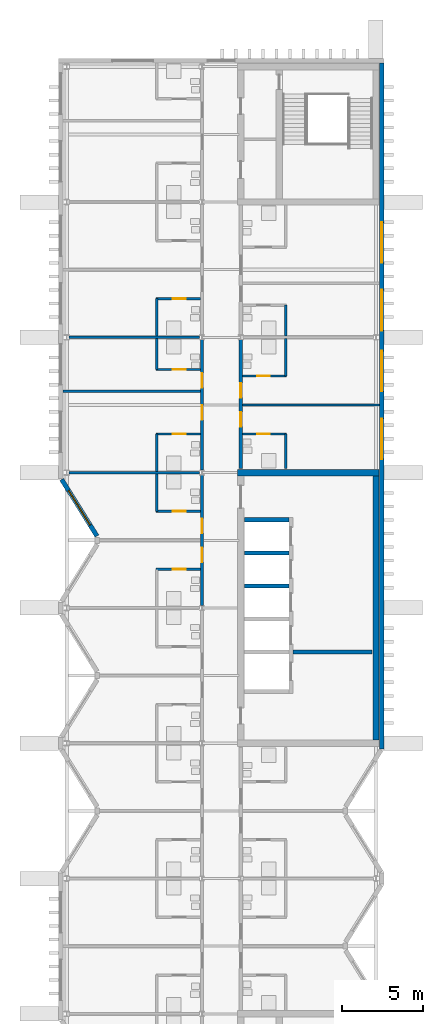
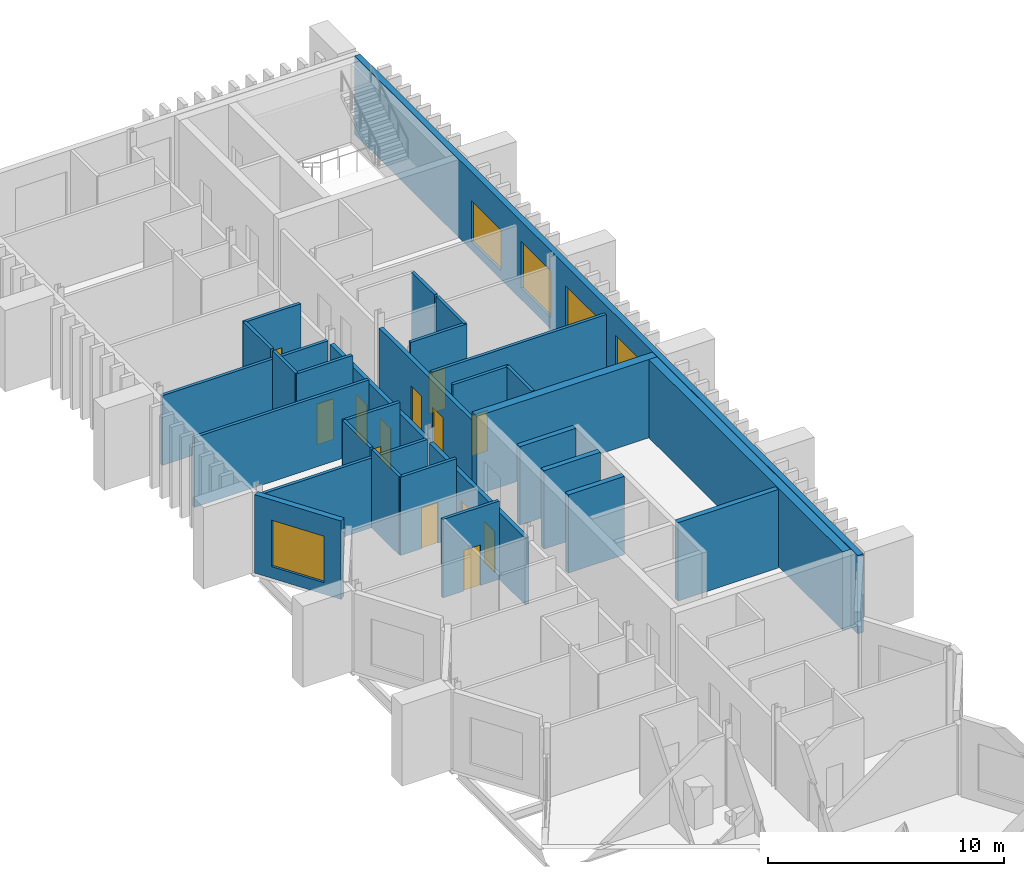
# One storey, part 7 of 11: 29 walls, 13 doors, 5 windows, 18 openings.
"""IFC4 building model written with IfcOpenShell, lengths in metres."""

from ifc_helpers import new_model, si_unit, direction, frame, frame_2d, origin, place, context, subcontext, project, spatial, rectangle, extrude, material, layer, layer_set, type_object, element, fill, save


model = new_model("IFC4")

# Units and contexts
model_context = context("Model", 3, precision=1e-05, world=origin(), true_north=direction((0.0, 1.0)))
body_context = subcontext(model_context, "Body", "Model", "MODEL_VIEW")
ifc_project = project(units=[si_unit("LENGTHUNIT", "METRE"), si_unit("AREAUNIT", "SQUARE_METRE"), si_unit("VOLUMEUNIT", "CUBIC_METRE"), si_unit("PLANEANGLEUNIT", "RADIAN"), si_unit("MASSUNIT", "GRAM", prefix="KILO")], contexts=[model_context])

# Site, building, storey
site_placement = place(None, origin())
site = spatial("IfcSite", under=ifc_project, at=site_placement, CompositionType="ELEMENT")
building_placement = place(site_placement, origin())
building = spatial("IfcBuilding", under=site, at=building_placement, Name="Cresset Court Congress Hotel", CompositionType="ELEMENT")
storey_placement = place(building_placement, frame((0.0, 0.0, 52.199951171875)))
storey = spatial("IfcBuildingStorey", under=building, at=storey_placement, Name="L12", CompositionType="ELEMENT", Elevation=52.199951171875)

# Wall, openings, doors
ifc_material_1 = material(Name="Gypsum board partition")
ifc_layer_1 = layer(ifc_material_1, 0.199951171875)
ifc_layer_set_1 = layer_set([ifc_layer_1], Name="Corridor wall 200")
wall_type_1 = type_object("IfcWallType", Name="Corridor wall 200", PredefinedType="PARTITIONING", material=ifc_layer_set_1)
wall_1_placement = place(storey_placement, frame((165.60009765625, 33.75, 0.0), z_axis=(0.0, 0.0, 1.0), x_axis=(0.0, 1.0, 0.0)))
wall_1 = element("IfcWall", 1, at=wall_1_placement, inside=storey, type_object=wall_type_1, Name="A.wl.L12.074", PredefinedType="PARTITIONING", context=body_context, shape_type="SweptSolid", body=[
    extrude(rectangle(XDim=8.10009765625, YDim=0.199951171875, at=frame_2d((4.050048828125, 0.0))), origin(), (0.0, 0.0, 1.0), 3.449951171875),
])
opening_1_placement = place(wall_1_placement, frame((2.699951171875, 0.0, 0.0)))
opening_1 = element("IfcOpeningElement", 2, at=opening_1_placement, cuts=wall_1, Name="Opening DA-12-18", PredefinedType="OPENING", context=body_context, shape_type="SweptSolid", body=[
    extrude(rectangle(XDim=0.89990234375, YDim=2.10009765625, at=frame_2d((0.449951171875, 1.050048828125))), frame((0.0, 0.10986328125, 0.0), z_axis=(0.0, -1.0, 0.0), x_axis=(1.0, 0.0, 0.0)), (0.0, 0.0, 1.0), 0.219970703125),
])
opening_2_placement = place(wall_1_placement, frame((4.5, 0.0, 0.0)))
opening_2 = element("IfcOpeningElement", 3, at=opening_2_placement, cuts=wall_1, Name="Opening DA-12-20", PredefinedType="OPENING", context=body_context, shape_type="SweptSolid", body=[
    extrude(rectangle(XDim=0.89990234375, YDim=2.10009765625, at=frame_2d((0.449951171875, 1.050048828125))), frame((0.0, 0.10986328125, 0.0), z_axis=(0.0, -1.0, 0.0), x_axis=(1.0, 0.0, 0.0)), (0.0, 0.0, 1.0), 0.219970703125),
])
ifc_material_2 = material(Name="timber", Category="wood")
door_type_1 = type_object("IfcDoorType", Name="Guest-room entry door 900x2100 FD30S", OperationType="SINGLE_SWING_LEFT", PredefinedType="DOOR", material=ifc_material_2)
door_1_placement = place(opening_1_placement, origin())
door_1 = element("IfcDoor", 4, at=door_1_placement, inside=storey, type_object=door_type_1, Name="Door DA-12-18", OperationType="SINGLE_SWING_RIGHT", OverallHeight=2.10009765625, OverallWidth=0.89990234375, PredefinedType="DOOR", context=body_context, shape_type="SweptSolid", body=[
    extrude(rectangle(XDim=0.89990234375, YDim=2.10009765625, at=frame_2d((0.449951171875, 1.050048828125))), frame((0.0, 0.02490234375, 0.0), z_axis=(0.0, -1.0, 0.0), x_axis=(1.0, 0.0, 0.0)), (0.0, 0.0, 1.0), 0.050048828125),
])
fill(opening_1, door_1)
door_2_placement = place(opening_2_placement, origin())
door_2 = element("IfcDoor", 5, at=door_2_placement, inside=storey, type_object=door_type_1, Name="Door DA-12-20", OperationType="SINGLE_SWING_LEFT", OverallHeight=2.10009765625, OverallWidth=0.89990234375, PredefinedType="DOOR", context=body_context, shape_type="SweptSolid", body=[
    extrude(rectangle(XDim=0.89990234375, YDim=2.10009765625, at=frame_2d((0.449951171875, 1.050048828125))), frame((0.0, 0.02490234375, 0.0), z_axis=(0.0, -1.0, 0.0), x_axis=(1.0, 0.0, 0.0)), (0.0, 0.0, 1.0), 0.050048828125),
])
fill(opening_2, door_2)

wall_2_placement = place(storey_placement, frame((165.60009765625, 42.14990234375, 0.0), z_axis=(0.0, 0.0, 1.0), x_axis=(0.0, 1.0, 0.0)))
wall_2 = element("IfcWall", 6, at=wall_2_placement, inside=storey, type_object=wall_type_1, Name="A.wl.L12.075", PredefinedType="PARTITIONING", context=body_context, shape_type="SweptSolid", body=[
    extrude(rectangle(XDim=8.10009765625, YDim=0.199951171875, at=frame_2d((4.050048828125, 0.0))), origin(), (0.0, 0.0, 1.0), 3.449951171875),
])
opening_3_placement = place(wall_2_placement, frame((3.1201171875, 0.0, 0.0)))
opening_3 = element("IfcOpeningElement", 7, at=opening_3_placement, cuts=wall_2, Name="Opening DA-12-22", PredefinedType="OPENING", context=body_context, shape_type="SweptSolid", body=[
    extrude(rectangle(XDim=0.89990234375, YDim=2.10009765625, at=frame_2d((0.449951171875, 1.050048828125))), frame((0.0, 0.10986328125, 0.0), z_axis=(0.0, -1.0, 0.0), x_axis=(1.0, 0.0, 0.0)), (0.0, 0.0, 1.0), 0.219970703125),
])
opening_4_placement = place(wall_2_placement, frame((5.1201171875, 0.0, 0.0)))
opening_4 = element("IfcOpeningElement", 8, at=opening_4_placement, cuts=wall_2, Name="Opening DA-12-24", PredefinedType="OPENING", context=body_context, shape_type="SweptSolid", body=[
    extrude(rectangle(XDim=0.89990234375, YDim=2.10009765625, at=frame_2d((0.449951171875, 1.050048828125))), frame((0.0, 0.10986328125, 0.0), z_axis=(0.0, -1.0, 0.0), x_axis=(1.0, 0.0, 0.0)), (0.0, 0.0, 1.0), 0.219970703125),
])
door_3_placement = place(opening_3_placement, origin())
door_3 = element("IfcDoor", 9, at=door_3_placement, inside=storey, type_object=door_type_1, Name="Door DA-12-22", OperationType="SINGLE_SWING_RIGHT", OverallHeight=2.10009765625, OverallWidth=0.89990234375, PredefinedType="DOOR", context=body_context, shape_type="SweptSolid", body=[
    extrude(rectangle(XDim=0.89990234375, YDim=2.10009765625, at=frame_2d((0.449951171875, 1.050048828125))), frame((0.0, 0.02490234375, 0.0), z_axis=(0.0, -1.0, 0.0), x_axis=(1.0, 0.0, 0.0)), (0.0, 0.0, 1.0), 0.050048828125),
])
fill(opening_3, door_3)
door_4_placement = place(opening_4_placement, origin())
door_4 = element("IfcDoor", 10, at=door_4_placement, inside=storey, type_object=door_type_1, Name="Door DA-12-24", OperationType="SINGLE_SWING_LEFT", OverallHeight=2.10009765625, OverallWidth=0.89990234375, PredefinedType="DOOR", context=body_context, shape_type="SweptSolid", body=[
    extrude(rectangle(XDim=0.89990234375, YDim=2.10009765625, at=frame_2d((0.449951171875, 1.050048828125))), frame((0.0, 0.02490234375, 0.0), z_axis=(0.0, -1.0, 0.0), x_axis=(1.0, 0.0, 0.0)), (0.0, 0.0, 1.0), 0.050048828125),
])
fill(opening_4, door_4)

wall_3_placement = place(storey_placement, frame((168.0, 42.25, 0.0), z_axis=(0.0, 0.0, 1.0), x_axis=(0.0, 1.0, 0.0)))
wall_3 = element("IfcWall", 11, at=wall_3_placement, inside=storey, type_object=wall_type_1, Name="A.wl.L12.080", PredefinedType="PARTITIONING", context=body_context, shape_type="SweptSolid", body=[
    extrude(rectangle(XDim=8.0, YDim=0.199951171875, at=frame_2d((4.0, 0.0))), origin(), (0.0, 0.0, 1.0), 3.449951171875),
])
opening_5_placement = place(wall_3_placement, frame((2.60009765625, 0.0, 0.0)))
opening_5 = element("IfcOpeningElement", 12, at=opening_5_placement, cuts=wall_3, Name="Opening DA-12-42", PredefinedType="OPENING", context=body_context, shape_type="SweptSolid", body=[
    extrude(rectangle(XDim=0.89990234375, YDim=2.10009765625, at=frame_2d((0.449951171875, 1.050048828125))), frame((0.0, 0.10986328125, 0.0), z_axis=(0.0, -1.0, 0.0), x_axis=(1.0, 0.0, 0.0)), (0.0, 0.0, 1.0), 0.219970703125),
])
opening_6_placement = place(wall_3_placement, frame((4.39990234375, 0.0, 0.0)))
opening_6 = element("IfcOpeningElement", 13, at=opening_6_placement, cuts=wall_3, Name="Opening DA-12-44", PredefinedType="OPENING", context=body_context, shape_type="SweptSolid", body=[
    extrude(rectangle(XDim=0.89990234375, YDim=2.10009765625, at=frame_2d((0.449951171875, 1.050048828125))), frame((0.0, 0.10986328125, 0.0), z_axis=(0.0, -1.0, 0.0), x_axis=(1.0, 0.0, 0.0)), (0.0, 0.0, 1.0), 0.219970703125),
])
door_5_placement = place(opening_5_placement, origin())
door_5 = element("IfcDoor", 14, at=door_5_placement, inside=storey, type_object=door_type_1, Name="Door DA-12-42", OperationType="SINGLE_SWING_RIGHT", OverallHeight=2.10009765625, OverallWidth=0.89990234375, PredefinedType="DOOR", context=body_context, shape_type="SweptSolid", body=[
    extrude(rectangle(XDim=0.89990234375, YDim=2.10009765625, at=frame_2d((0.449951171875, 1.050048828125))), frame((0.0, 0.02490234375, 0.0), z_axis=(0.0, -1.0, 0.0), x_axis=(1.0, 0.0, 0.0)), (0.0, 0.0, 1.0), 0.050048828125),
])
fill(opening_5, door_5)
door_6_placement = place(opening_6_placement, origin())
door_6 = element("IfcDoor", 15, at=door_6_placement, inside=storey, type_object=door_type_1, Name="Door DA-12-44", OperationType="SINGLE_SWING_LEFT", OverallHeight=2.10009765625, OverallWidth=0.89990234375, PredefinedType="DOOR", context=body_context, shape_type="SweptSolid", body=[
    extrude(rectangle(XDim=0.89990234375, YDim=2.10009765625, at=frame_2d((0.449951171875, 1.050048828125))), frame((0.0, 0.02490234375, 0.0), z_axis=(0.0, -1.0, 0.0), x_axis=(1.0, 0.0, 0.0)), (0.0, 0.0, 1.0), 0.050048828125),
])
fill(opening_6, door_6)

# Wall, opening, door
ifc_material_3 = material(Name="Gypsum board partition")
ifc_layer_2 = layer(ifc_material_3, 0.14990234375)
ifc_layer_set_2 = layer_set([ifc_layer_2], Name="En-suite wall 150")
wall_type_2 = type_object("IfcWallType", Name="En-suite wall 150", PredefinedType="PARTITIONING", material=ifc_layer_set_2)
wall_4_placement = place(storey_placement, frame((162.75, 36.0, 0.0), z_axis=(0.0, 0.0, 1.0), x_axis=(1.0, 0.0, 0.0)))
wall_4 = element("IfcWall", 16, at=wall_4_placement, inside=storey, type_object=wall_type_2, Name="A.wl.L12.018", PredefinedType="PARTITIONING", context=body_context, shape_type="SweptSolid", body=[
    extrude(rectangle(XDim=2.75, YDim=0.14990234375, at=frame_2d((1.375, 0.0))), origin(), (0.0, 0.0, 1.0), 4.050048828125),
])
opening_7_placement = place(wall_4_placement, frame((1.030029296875, 0.0, 0.0)))
opening_7 = element("IfcOpeningElement", 17, at=opening_7_placement, cuts=wall_4, Name="Opening DA-12-17", PredefinedType="OPENING", context=body_context, shape_type="SweptSolid", body=[
    extrude(rectangle(XDim=0.800048828125, YDim=2.10009765625, at=frame_2d((0.39990234375, 1.050048828125))), frame((0.0, 0.0849609375, 0.0), z_axis=(0.0, -1.0, 0.0), x_axis=(1.0, 0.0, 0.0)), (0.0, 0.0, 1.0), 0.169921875),
])
ifc_material_4 = material(Name="timber", Category="wood")
door_type_2 = type_object("IfcDoorType", Name="En-suite door 800x2100", OperationType="SINGLE_SWING_LEFT", PredefinedType="DOOR", material=ifc_material_4)
door_7_placement = place(opening_7_placement, origin())
door_7 = element("IfcDoor", 18, at=door_7_placement, inside=storey, type_object=door_type_2, Name="Door DA-12-17", OperationType="SINGLE_SWING_RIGHT", OverallHeight=2.10009765625, OverallWidth=0.800048828125, PredefinedType="DOOR", context=body_context, shape_type="SweptSolid", body=[
    extrude(rectangle(XDim=0.800048828125, YDim=2.10009765625, at=frame_2d((0.39990234375, 1.050048828125))), frame((0.0, 0.02490234375, 0.0), z_axis=(0.0, -1.0, 0.0), x_axis=(1.0, 0.0, 0.0)), (0.0, 0.0, 1.0), 0.050048828125),
])
fill(opening_7, door_7)

# Wall
wall_5_placement = place(storey_placement, frame((162.800048828125, 39.60009765625, 0.0), z_axis=(0.0, 0.0, 1.0), x_axis=(0.0, 1.0, 0.0)))
element("IfcWall", 19, at=wall_5_placement, inside=storey, type_object=wall_type_2, Name="A.wl.L12.019", PredefinedType="PARTITIONING", context=body_context, shape_type="SweptSolid", body=[
    extrude(rectangle(XDim=2.324951171875, YDim=0.14990234375, at=frame_2d((1.16259765625, 0.0))), origin(), (0.0, 0.0, 1.0), 4.050048828125),
])

# Wall, opening, door
wall_6_placement = place(storey_placement, frame((162.75, 39.60009765625, 0.0), z_axis=(0.0, 0.0, 1.0), x_axis=(1.0, 0.0, 0.0)))
wall_6 = element("IfcWall", 20, at=wall_6_placement, inside=storey, type_object=wall_type_2, Name="A.wl.L12.020", PredefinedType="PARTITIONING", context=body_context, shape_type="SweptSolid", body=[
    extrude(rectangle(XDim=2.75, YDim=0.14990234375, at=frame_2d((1.375, 0.0))), origin(), (0.0, 0.0, 1.0), 4.050048828125),
])
opening_8_placement = place(wall_6_placement, frame((1.030029296875, 0.0, 0.0)))
opening_8 = element("IfcOpeningElement", 21, at=opening_8_placement, cuts=wall_6, Name="Opening DA-12-19", PredefinedType="OPENING", context=body_context, shape_type="SweptSolid", body=[
    extrude(rectangle(XDim=0.800048828125, YDim=2.10009765625, at=frame_2d((0.39990234375, 1.050048828125))), frame((0.0, 0.0849609375, 0.0), z_axis=(0.0, -1.0, 0.0), x_axis=(1.0, 0.0, 0.0)), (0.0, 0.0, 1.0), 0.169921875),
])
door_8_placement = place(opening_8_placement, origin())
door_8 = element("IfcDoor", 22, at=door_8_placement, inside=storey, type_object=door_type_2, Name="Door DA-12-19", OperationType="SINGLE_SWING_LEFT", OverallHeight=2.10009765625, OverallWidth=0.800048828125, PredefinedType="DOOR", context=body_context, shape_type="SweptSolid", body=[
    extrude(rectangle(XDim=0.800048828125, YDim=2.10009765625, at=frame_2d((0.39990234375, 1.050048828125))), frame((0.0, 0.02490234375, 0.0), z_axis=(0.0, -1.0, 0.0), x_axis=(1.0, 0.0, 0.0)), (0.0, 0.0, 1.0), 0.050048828125),
])
fill(opening_8, door_8)

# Wall
wall_7_placement = place(storey_placement, frame((162.800048828125, 42.074951171875, 0.0), z_axis=(0.0, 0.0, 1.0), x_axis=(0.0, 1.0, 0.0)))
element("IfcWall", 23, at=wall_7_placement, inside=storey, type_object=wall_type_2, Name="A.wl.L12.021", PredefinedType="PARTITIONING", context=body_context, shape_type="SweptSolid", body=[
    extrude(rectangle(XDim=2.324951171875, YDim=0.14990234375, at=frame_2d((1.16259765625, 0.0))), origin(), (0.0, 0.0, 1.0), 4.050048828125),
])

# Wall, opening, door
wall_8_placement = place(storey_placement, frame((162.75, 44.39990234375, 0.0), z_axis=(0.0, 0.0, 1.0), x_axis=(1.0, 0.0, 0.0)))
wall_8 = element("IfcWall", 24, at=wall_8_placement, inside=storey, type_object=wall_type_2, Name="A.wl.L12.022", PredefinedType="PARTITIONING", context=body_context, shape_type="SweptSolid", body=[
    extrude(rectangle(XDim=2.75, YDim=0.14990234375, at=frame_2d((1.375, 0.0))), origin(), (0.0, 0.0, 1.0), 4.050048828125),
])
opening_9_placement = place(wall_8_placement, frame((1.030029296875, 0.0, 0.0)))
opening_9 = element("IfcOpeningElement", 25, at=opening_9_placement, cuts=wall_8, Name="Opening DA-12-21", PredefinedType="OPENING", context=body_context, shape_type="SweptSolid", body=[
    extrude(rectangle(XDim=0.800048828125, YDim=2.10009765625, at=frame_2d((0.39990234375, 1.050048828125))), frame((0.0, 0.0849609375, 0.0), z_axis=(0.0, -1.0, 0.0), x_axis=(1.0, 0.0, 0.0)), (0.0, 0.0, 1.0), 0.169921875),
])
door_9_placement = place(opening_9_placement, origin())
door_9 = element("IfcDoor", 26, at=door_9_placement, inside=storey, type_object=door_type_2, Name="Door DA-12-21", OperationType="SINGLE_SWING_RIGHT", OverallHeight=2.10009765625, OverallWidth=0.800048828125, PredefinedType="DOOR", context=body_context, shape_type="SweptSolid", body=[
    extrude(rectangle(XDim=0.800048828125, YDim=2.10009765625, at=frame_2d((0.39990234375, 1.050048828125))), frame((0.0, 0.02490234375, 0.0), z_axis=(0.0, -1.0, 0.0), x_axis=(1.0, 0.0, 0.0)), (0.0, 0.0, 1.0), 0.050048828125),
])
fill(opening_9, door_9)

# Wall
wall_9_placement = place(storey_placement, frame((162.800048828125, 48.39990234375, 0.0), z_axis=(0.0, 0.0, 1.0), x_axis=(0.0, 1.0, 0.0)))
element("IfcWall", 27, at=wall_9_placement, inside=storey, type_object=wall_type_2, Name="A.wl.L12.023", PredefinedType="PARTITIONING", context=body_context, shape_type="SweptSolid", body=[
    extrude(rectangle(XDim=1.925048828125, YDim=0.14990234375, at=frame_2d((0.96240234375, 0.0))), origin(), (0.0, 0.0, 1.0), 4.050048828125),
])

# Wall, opening, door
wall_10_placement = place(storey_placement, frame((162.75, 48.39990234375, 0.0), z_axis=(0.0, 0.0, 1.0), x_axis=(1.0, 0.0, 0.0)))
wall_10 = element("IfcWall", 28, at=wall_10_placement, inside=storey, type_object=wall_type_2, Name="A.wl.L12.024", PredefinedType="PARTITIONING", context=body_context, shape_type="SweptSolid", body=[
    extrude(rectangle(XDim=2.75, YDim=0.14990234375, at=frame_2d((1.375, 0.0))), origin(), (0.0, 0.0, 1.0), 4.050048828125),
])
opening_10_placement = place(wall_10_placement, frame((1.030029296875, 0.0, 0.0)))
opening_10 = element("IfcOpeningElement", 29, at=opening_10_placement, cuts=wall_10, Name="Opening DA-12-23", PredefinedType="OPENING", context=body_context, shape_type="SweptSolid", body=[
    extrude(rectangle(XDim=0.800048828125, YDim=2.10009765625, at=frame_2d((0.39990234375, 1.050048828125))), frame((0.0, 0.0849609375, 0.0), z_axis=(0.0, -1.0, 0.0), x_axis=(1.0, 0.0, 0.0)), (0.0, 0.0, 1.0), 0.169921875),
])
door_10_placement = place(opening_10_placement, origin())
door_10 = element("IfcDoor", 30, at=door_10_placement, inside=storey, type_object=door_type_2, Name="Door DA-12-23", OperationType="SINGLE_SWING_LEFT", OverallHeight=2.10009765625, OverallWidth=0.800048828125, PredefinedType="DOOR", context=body_context, shape_type="SweptSolid", body=[
    extrude(rectangle(XDim=0.800048828125, YDim=2.10009765625, at=frame_2d((0.39990234375, 1.050048828125))), frame((0.0, 0.02490234375, 0.0), z_axis=(0.0, -1.0, 0.0), x_axis=(1.0, 0.0, 0.0)), (0.0, 0.0, 1.0), 0.050048828125),
])
fill(opening_10, door_10)

# Wall
wall_11_placement = place(storey_placement, frame((162.800048828125, 50.47509765625, 0.0), z_axis=(0.0, 0.0, 1.0), x_axis=(0.0, 1.0, 0.0)))
element("IfcWall", 31, at=wall_11_placement, inside=storey, type_object=wall_type_2, Name="A.wl.L12.025", PredefinedType="PARTITIONING", context=body_context, shape_type="SweptSolid", body=[
    extrude(rectangle(XDim=2.324951171875, YDim=0.14990234375, at=frame_2d((1.16259765625, 0.0))), origin(), (0.0, 0.0, 1.0), 4.050048828125),
])

# Wall, opening, door
wall_12_placement = place(storey_placement, frame((162.75, 52.800048828125, 0.0), z_axis=(0.0, 0.0, 1.0), x_axis=(1.0, 0.0, 0.0)))
wall_12 = element("IfcWall", 32, at=wall_12_placement, inside=storey, type_object=wall_type_2, Name="A.wl.L12.026", PredefinedType="PARTITIONING", context=body_context, shape_type="SweptSolid", body=[
    extrude(rectangle(XDim=2.75, YDim=0.14990234375, at=frame_2d((1.375, 0.0))), origin(), (0.0, 0.0, 1.0), 4.050048828125),
])
opening_11_placement = place(wall_12_placement, frame((1.030029296875, 0.0, 0.0)))
opening_11 = element("IfcOpeningElement", 33, at=opening_11_placement, cuts=wall_12, Name="Opening DA-12-25", PredefinedType="OPENING", context=body_context, shape_type="SweptSolid", body=[
    extrude(rectangle(XDim=0.800048828125, YDim=2.10009765625, at=frame_2d((0.39990234375, 1.050048828125))), frame((0.0, 0.0849609375, 0.0), z_axis=(0.0, -1.0, 0.0), x_axis=(1.0, 0.0, 0.0)), (0.0, 0.0, 1.0), 0.169921875),
])
door_11_placement = place(opening_11_placement, origin())
door_11 = element("IfcDoor", 34, at=door_11_placement, inside=storey, type_object=door_type_2, Name="Door DA-12-25", OperationType="SINGLE_SWING_RIGHT", OverallHeight=2.10009765625, OverallWidth=0.800048828125, PredefinedType="DOOR", context=body_context, shape_type="SweptSolid", body=[
    extrude(rectangle(XDim=0.800048828125, YDim=2.10009765625, at=frame_2d((0.39990234375, 1.050048828125))), frame((0.0, 0.02490234375, 0.0), z_axis=(0.0, -1.0, 0.0), x_axis=(1.0, 0.0, 0.0)), (0.0, 0.0, 1.0), 0.050048828125),
])
fill(opening_11, door_11)

# Wall
wall_13_placement = place(storey_placement, frame((170.800048828125, 42.25, 0.0), z_axis=(0.0, 0.0, 1.0), x_axis=(0.0, 1.0, 0.0)))
element("IfcWall", 35, at=wall_13_placement, inside=storey, type_object=wall_type_2, Name="A.wl.L12.041", PredefinedType="PARTITIONING", context=body_context, shape_type="SweptSolid", body=[
    extrude(rectangle(XDim=2.14990234375, YDim=0.14990234375, at=frame_2d((1.074951171875, 0.0))), origin(), (0.0, 0.0, 1.0), 4.050048828125),
])

# Wall, opening, door
wall_14_placement = place(storey_placement, frame((170.85009765625, 44.39990234375, 0.0), z_axis=(0.0, 0.0, 1.0), x_axis=(-1.0, 0.0, 0.0)))
wall_14 = element("IfcWall", 36, at=wall_14_placement, inside=storey, type_object=wall_type_2, Name="A.wl.L12.042", PredefinedType="PARTITIONING", context=body_context, shape_type="SweptSolid", body=[
    extrude(rectangle(XDim=2.75, YDim=0.14990234375, at=frame_2d((1.375, 0.0))), origin(), (0.0, 0.0, 1.0), 4.050048828125),
])
opening_12_placement = place(wall_14_placement, frame((1.030029296875, 0.0, 0.0)))
opening_12 = element("IfcOpeningElement", 37, at=opening_12_placement, cuts=wall_14, Name="Opening DA-12-41", PredefinedType="OPENING", context=body_context, shape_type="SweptSolid", body=[
    extrude(rectangle(XDim=0.800048828125, YDim=2.10009765625, at=frame_2d((0.39990234375, 1.050048828125))), frame((0.0, 0.0849609375, 0.0), z_axis=(0.0, -1.0, 0.0), x_axis=(1.0, 0.0, 0.0)), (0.0, 0.0, 1.0), 0.169921875),
])
door_12_placement = place(opening_12_placement, origin())
door_12 = element("IfcDoor", 38, at=door_12_placement, inside=storey, type_object=door_type_2, Name="Door DA-12-41", OperationType="SINGLE_SWING_RIGHT", OverallHeight=2.10009765625, OverallWidth=0.800048828125, PredefinedType="DOOR", context=body_context, shape_type="SweptSolid", body=[
    extrude(rectangle(XDim=0.800048828125, YDim=2.10009765625, at=frame_2d((0.39990234375, 1.050048828125))), frame((0.0, 0.02490234375, 0.0), z_axis=(0.0, -1.0, 0.0), x_axis=(1.0, 0.0, 0.0)), (0.0, 0.0, 1.0), 0.050048828125),
])
fill(opening_12, door_12)

# Wall
wall_15_placement = place(storey_placement, frame((170.800048828125, 48.0, 0.0), z_axis=(0.0, 0.0, 1.0), x_axis=(0.0, 1.0, 0.0)))
element("IfcWall", 39, at=wall_15_placement, inside=storey, type_object=wall_type_2, Name="A.wl.L12.043", PredefinedType="PARTITIONING", context=body_context, shape_type="SweptSolid", body=[
    extrude(rectangle(XDim=2.324951171875, YDim=0.14990234375, at=frame_2d((1.16259765625, 0.0))), origin(), (0.0, 0.0, 1.0), 4.050048828125),
])

# Wall, opening, door
wall_16_placement = place(storey_placement, frame((170.85009765625, 48.0, 0.0), z_axis=(0.0, 0.0, 1.0), x_axis=(-1.0, 0.0, 0.0)))
wall_16 = element("IfcWall", 40, at=wall_16_placement, inside=storey, type_object=wall_type_2, Name="A.wl.L12.044", PredefinedType="PARTITIONING", context=body_context, shape_type="SweptSolid", body=[
    extrude(rectangle(XDim=2.75, YDim=0.14990234375, at=frame_2d((1.375, 0.0))), origin(), (0.0, 0.0, 1.0), 4.050048828125),
])
opening_13_placement = place(wall_16_placement, frame((1.030029296875, 0.0, 0.0)))
opening_13 = element("IfcOpeningElement", 41, at=opening_13_placement, cuts=wall_16, Name="Opening DA-12-43", PredefinedType="OPENING", context=body_context, shape_type="SweptSolid", body=[
    extrude(rectangle(XDim=0.800048828125, YDim=2.10009765625, at=frame_2d((0.39990234375, 1.050048828125))), frame((0.0, 0.0849609375, 0.0), z_axis=(0.0, -1.0, 0.0), x_axis=(1.0, 0.0, 0.0)), (0.0, 0.0, 1.0), 0.169921875),
])
door_13_placement = place(opening_13_placement, origin())
door_13 = element("IfcDoor", 42, at=door_13_placement, inside=storey, type_object=door_type_2, Name="Door DA-12-43", OperationType="SINGLE_SWING_LEFT", OverallHeight=2.10009765625, OverallWidth=0.800048828125, PredefinedType="DOOR", context=body_context, shape_type="SweptSolid", body=[
    extrude(rectangle(XDim=0.800048828125, YDim=2.10009765625, at=frame_2d((0.39990234375, 1.050048828125))), frame((0.0, 0.02490234375, 0.0), z_axis=(0.0, -1.0, 0.0), x_axis=(1.0, 0.0, 0.0)), (0.0, 0.0, 1.0), 0.050048828125),
])
fill(opening_13, door_13)

# Wall
wall_17_placement = place(storey_placement, frame((170.800048828125, 50.47509765625, 0.0), z_axis=(0.0, 0.0, 1.0), x_axis=(0.0, 1.0, 0.0)))
element("IfcWall", 43, at=wall_17_placement, inside=storey, type_object=wall_type_2, Name="A.wl.L12.045", PredefinedType="PARTITIONING", context=body_context, shape_type="SweptSolid", body=[
    extrude(rectangle(XDim=1.9248046875, YDim=0.14990234375, at=frame_2d((0.96240234375, 0.0))), origin(), (0.0, 0.0, 1.0), 4.050048828125),
])

# Wall, opening, window
ifc_material_5 = material(Name="Precast concrete C50", Category="concrete")
ifc_layer_3 = layer(ifc_material_5, 0.280029296875)
ifc_layer_set_3 = layer_set([ifc_layer_3], Name="External wall 280")
wall_type_3 = type_object("IfcWallType", Name="External wall 280", PredefinedType="SOLIDWALL", material=ifc_layer_set_3)
wall_18_placement = place(storey_placement, frame((159.07861328125, 38.05908203125, 0.0), z_axis=(0.0, 0.0, 1.0), x_axis=(-0.529018946142, 0.848610013271, 0.0)))
wall_18 = element("IfcWall", 44, at=wall_18_placement, inside=storey, type_object=wall_type_3, Name="A.ew.L12.Wn.4.1", PredefinedType="SOLIDWALL", context=body_context, shape_type="SweptSolid", body=[
    extrude(rectangle(XDim=4.144287109375, YDim=0.280029296875, at=frame_2d((2.072265625, 0.0))), origin(), (0.0, 0.0, 1.0), 4.050048828125),
])
opening_14_placement = place(wall_18_placement, frame((0.812255859375, 0.0, 0.60009765625)))
opening_14 = element("IfcOpeningElement", 45, at=opening_14_placement, cuts=wall_18, Name="Opening NA-12-10", PredefinedType="OPENING", context=body_context, shape_type="SweptSolid", body=[
    extrude(rectangle(XDim=2.52001953125, YDim=2.39990234375, at=frame_2d((1.260009765625, 1.199951171875))), frame((0.0, 0.14990234375, 0.0), z_axis=(0.0, -1.0, 0.0), x_axis=(1.0, 0.0, 0.0)), (0.0, 0.0, 1.0), 0.300048828125),
])
ifc_material_6 = material(Name="Aluminium and glass", Category="aluminium")
window_type_1 = type_object("IfcWindowType", Name="Window 2520x2400", PartitioningType="SINGLE_PANEL", PredefinedType="WINDOW", material=ifc_material_6)
window_1_placement = place(opening_14_placement, origin())
window_1 = element("IfcWindow", 46, at=window_1_placement, inside=storey, type_object=window_type_1, Name="Window NA-12-10", OverallHeight=2.39990234375, OverallWidth=2.52001953125, PartitioningType="SINGLE_PANEL", PredefinedType="WINDOW", context=body_context, shape_type="SweptSolid", body=[
    extrude(rectangle(XDim=2.52001953125, YDim=2.39990234375, at=frame_2d((1.260009765625, 1.199951171875))), frame((0.0, 0.030029296875, 0.0), z_axis=(0.0, -1.0, 0.0), x_axis=(1.0, 0.0, 0.0)), (0.0, 0.0, 1.0), 0.06005859375),
])
fill(opening_14, window_1)

# Wall, openings, windows
wall_19_placement = place(storey_placement, frame((176.760009765625, 24.85009765625, 0.0), z_axis=(0.0, 0.0, 1.0), x_axis=(0.0, 1.0, 0.0)))
wall_19 = element("IfcWall", 47, at=wall_19_placement, inside=storey, type_object=wall_type_3, Name="A.ew.L12.E.3", PredefinedType="SOLIDWALL", context=body_context, shape_type="SweptSolid", body=[
    extrude(rectangle(XDim=42.56982421875, YDim=0.280029296875, at=frame_2d((21.284912109375, 0.0))), origin(), (0.0, 0.0, 1.0), 4.050048828125),
])
opening_15_placement = place(wall_19_placement, frame((17.989990234375, 0.0, 0.60009765625)))
opening_15 = element("IfcOpeningElement", 48, at=opening_15_placement, cuts=wall_19, Name="Opening NA-12-21", PredefinedType="OPENING", context=body_context, shape_type="SweptSolid", body=[
    extrude(rectangle(XDim=2.52001953125, YDim=2.39990234375, at=frame_2d((1.260009765625, 1.199951171875))), frame((0.0, 0.14990234375, 0.0), z_axis=(0.0, -1.0, 0.0), x_axis=(1.0, 0.0, 0.0)), (0.0, 0.0, 1.0), 0.300048828125),
])
opening_16_placement = place(wall_19_placement, frame((22.18994140625, 0.0, 0.60009765625)))
opening_16 = element("IfcOpeningElement", 49, at=opening_16_placement, cuts=wall_19, Name="Opening NA-12-22", PredefinedType="OPENING", context=body_context, shape_type="SweptSolid", body=[
    extrude(rectangle(XDim=2.52001953125, YDim=2.39990234375, at=frame_2d((1.260009765625, 1.199951171875))), frame((0.0, 0.14990234375, 0.0), z_axis=(0.0, -1.0, 0.0), x_axis=(1.0, 0.0, 0.0)), (0.0, 0.0, 1.0), 0.300048828125),
])
opening_17_placement = place(wall_19_placement, frame((25.969970703125, 0.0, 0.60009765625)))
opening_17 = element("IfcOpeningElement", 50, at=opening_17_placement, cuts=wall_19, Name="Opening NA-12-23", PredefinedType="OPENING", context=body_context, shape_type="SweptSolid", body=[
    extrude(rectangle(XDim=2.52001953125, YDim=2.39990234375, at=frame_2d((1.260009765625, 1.199951171875))), frame((0.0, 0.14990234375, 0.0), z_axis=(0.0, -1.0, 0.0), x_axis=(1.0, 0.0, 0.0)), (0.0, 0.0, 1.0), 0.300048828125),
])
opening_18_placement = place(wall_19_placement, frame((30.169921875, 0.0, 0.449951171875)))
opening_18 = element("IfcOpeningElement", 51, at=opening_18_placement, cuts=wall_19, Name="Opening NA-12-24", PredefinedType="OPENING", context=body_context, shape_type="SweptSolid", body=[
    extrude(rectangle(XDim=2.52001953125, YDim=2.10009765625, at=frame_2d((1.260009765625, 1.050048828125))), frame((0.0, 0.14990234375, 0.0), z_axis=(0.0, -1.0, 0.0), x_axis=(1.0, 0.0, 0.0)), (0.0, 0.0, 1.0), 0.300048828125),
])
ifc_material_7 = material(Name="Aluminium and glass", Category="aluminium")
window_type_2 = type_object("IfcWindowType", Name="Window 2520x2100", PartitioningType="SINGLE_PANEL", PredefinedType="WINDOW", material=ifc_material_7)
window_2_placement = place(opening_18_placement, origin())
window_2 = element("IfcWindow", 52, at=window_2_placement, inside=storey, type_object=window_type_2, Name="Window NA-12-24", OverallHeight=2.10009765625, OverallWidth=2.52001953125, PartitioningType="SINGLE_PANEL", PredefinedType="WINDOW", context=body_context, shape_type="SweptSolid", body=[
    extrude(rectangle(XDim=2.52001953125, YDim=2.10009765625, at=frame_2d((1.260009765625, 1.050048828125))), frame((0.0, 0.030029296875, 0.0), z_axis=(0.0, -1.0, 0.0), x_axis=(1.0, 0.0, 0.0)), (0.0, 0.0, 1.0), 0.06005859375),
])
fill(opening_18, window_2)
window_3_placement = place(opening_15_placement, origin())
window_3 = element("IfcWindow", 53, at=window_3_placement, inside=storey, type_object=window_type_1, Name="Window NA-12-21", OverallHeight=2.39990234375, OverallWidth=2.52001953125, PartitioningType="SINGLE_PANEL", PredefinedType="WINDOW", context=body_context, shape_type="SweptSolid", body=[
    extrude(rectangle(XDim=2.52001953125, YDim=2.39990234375, at=frame_2d((1.260009765625, 1.199951171875))), frame((0.0, 0.030029296875, 0.0), z_axis=(0.0, -1.0, 0.0), x_axis=(1.0, 0.0, 0.0)), (0.0, 0.0, 1.0), 0.06005859375),
])
fill(opening_15, window_3)
window_4_placement = place(opening_16_placement, origin())
window_4 = element("IfcWindow", 54, at=window_4_placement, inside=storey, type_object=window_type_1, Name="Window NA-12-22", OverallHeight=2.39990234375, OverallWidth=2.52001953125, PartitioningType="SINGLE_PANEL", PredefinedType="WINDOW", context=body_context, shape_type="SweptSolid", body=[
    extrude(rectangle(XDim=2.52001953125, YDim=2.39990234375, at=frame_2d((1.260009765625, 1.199951171875))), frame((0.0, 0.030029296875, 0.0), z_axis=(0.0, -1.0, 0.0), x_axis=(1.0, 0.0, 0.0)), (0.0, 0.0, 1.0), 0.06005859375),
])
fill(opening_16, window_4)
window_5_placement = place(opening_17_placement, origin())
window_5 = element("IfcWindow", 55, at=window_5_placement, inside=storey, type_object=window_type_1, Name="Window NA-12-23", OverallHeight=2.39990234375, OverallWidth=2.52001953125, PartitioningType="SINGLE_PANEL", PredefinedType="WINDOW", context=body_context, shape_type="SweptSolid", body=[
    extrude(rectangle(XDim=2.52001953125, YDim=2.39990234375, at=frame_2d((1.260009765625, 1.199951171875))), frame((0.0, 0.030029296875, 0.0), z_axis=(0.0, -1.0, 0.0), x_axis=(1.0, 0.0, 0.0)), (0.0, 0.0, 1.0), 0.06005859375),
])
fill(opening_17, window_5)

# Walls
ifc_material_8 = material(Name="Gypsum board partition")
ifc_layer_4 = layer(ifc_material_8, 0.14990234375)
ifc_layer_set_4 = layer_set([ifc_layer_4], Name="Guest-room partition 150")
wall_type_4 = type_object("IfcWallType", Name="Guest-room partition 150", PredefinedType="PARTITIONING", material=ifc_layer_set_4)
for number, where, z_axis, x_axis, name in (
    (56, (157.35009765625, 42.0, 0.0), (0.0, 0.0, 1.0), (1.0, 0.0, 0.0), "A.wl.L12.053"),
    (57, (157.35009765625, 50.39990234375, 0.0), (0.0, 0.0, 1.0), (1.0, 0.0, 0.0), "A.wl.L12.054"),
):
    element("IfcWall", number, at=place(storey_placement, frame(where, z_axis=z_axis, x_axis=x_axis)), inside=storey, type_object=wall_type_4, Name=name, PredefinedType="PARTITIONING", context=body_context, shape_type="SweptSolid", body=[
        extrude(rectangle(XDim=8.099853515625, YDim=0.14990234375, at=frame_2d((4.0498046875, 0.0))), origin(), (0.0, 0.0, 1.0), 3.60400390625),
    ])
for number, where, z_axis, x_axis, name in (
    (58, (156.97998046875, 47.0400390625, 0.0), (0.0, 0.0, 1.0), (1.0, 0.0, 0.0), "A.wl.L12.063"),
    (59, (168.10009765625, 46.199951171875, 0.0), (0.0, 0.0, 1.0), (1.0, 0.0, 0.0), "A.wl.L12.068"),
):
    element("IfcWall", number, at=place(storey_placement, frame(where, z_axis=z_axis, x_axis=x_axis)), inside=storey, type_object=wall_type_4, Name=name, PredefinedType="PARTITIONING", context=body_context, shape_type="SweptSolid", body=[
        extrude(rectangle(XDim=8.52001953125, YDim=0.14990234375, at=frame_2d((4.260009765625, 0.0))), origin(), (0.0, 0.0, 1.0), 3.60400390625),
    ])
ifc_material_9 = material(Name="Concrete C50", Category="concrete")
ifc_layer_5 = layer(ifc_material_9, 0.39990234375)
ifc_layer_set_5 = layer_set([ifc_layer_5], Name="Lift core wall 400")
wall_type_5 = type_object("IfcWallType", Name="Lift core wall 400", PredefinedType="SOLIDWALL", material=ifc_layer_set_5)
wall_20_placement = place(storey_placement, frame((167.800048828125, 42.0, 0.0), z_axis=(0.0, 0.0, 1.0), x_axis=(1.0, 0.0, 0.0)))
element("IfcWall", 60, at=wall_20_placement, inside=storey, type_object=wall_type_5, Name="A.cw.LC-A.L12.N", PredefinedType="SOLIDWALL", context=body_context, shape_type="SweptSolid", body=[
    extrude(rectangle(XDim=8.800048828125, YDim=0.39990234375, at=frame_2d((4.39990234375, 0.0))), origin(), (0.0, 0.0, 1.0), 4.050048828125),
])
wall_21_placement = place(storey_placement, frame((176.39990234375, 25.39990234375, 0.0), z_axis=(0.0, 0.0, 1.0), x_axis=(0.0, 1.0, 0.0)))
element("IfcWall", 61, at=wall_21_placement, inside=storey, type_object=wall_type_5, Name="A.cw.LC-A.L12.E", PredefinedType="SOLIDWALL", context=body_context, shape_type="SweptSolid", body=[
    extrude(rectangle(XDim=16.400146484375, YDim=0.39990234375, at=frame_2d((8.2001953125, 0.0))), origin(), (0.0, 0.0, 1.0), 4.050048828125),
])
ifc_material_10 = material(Name="Concrete C50", Category="concrete")
ifc_layer_6 = layer(ifc_material_10, 0.25)
ifc_layer_set_6 = layer_set([ifc_layer_6], Name="Lift shaft wall 250")
wall_type_6 = type_object("IfcWallType", Name="Lift shaft wall 250", PredefinedType="SOLIDWALL", material=ifc_layer_set_6)
for number, where, z_axis, x_axis, name in (
    (62, (168.25, 34.97509765625, 0.0), (0.0, 0.0, 1.0), (1.0, 0.0, 0.0), "A.wl.L12.090"),
    (63, (168.25, 37.02490234375, 0.0), (0.0, 0.0, 1.0), (1.0, 0.0, 0.0), "A.wl.L12.091"),
    (64, (168.25, 39.074951171875, 0.0), (0.0, 0.0, 1.0), (1.0, 0.0, 0.0), "A.wl.L12.092"),
):
    element("IfcWall", number, at=place(storey_placement, frame(where, z_axis=z_axis, x_axis=x_axis)), inside=storey, type_object=wall_type_6, Name=name, PredefinedType="SOLIDWALL", context=body_context, shape_type="SweptSolid", body=[
        extrude(rectangle(XDim=2.75, YDim=0.25, at=frame_2d((1.375, 0.0))), origin(), (0.0, 0.0, 1.0), 4.050048828125),
    ])
wall_22_placement = place(storey_placement, frame((171.25, 30.875, 0.0), z_axis=(0.0, 0.0, 1.0), x_axis=(1.0, 0.0, 0.0)))
element("IfcWall", 65, at=wall_22_placement, inside=storey, type_object=wall_type_6, Name="A.wl.L12.093", PredefinedType="SOLIDWALL", context=body_context, shape_type="SweptSolid", body=[
    extrude(rectangle(XDim=4.89990234375, YDim=0.25, at=frame_2d((2.449951171875, 0.0))), origin(), (0.0, 0.0, 1.0), 4.050048828125),
])

save(model, "model.ifc")
